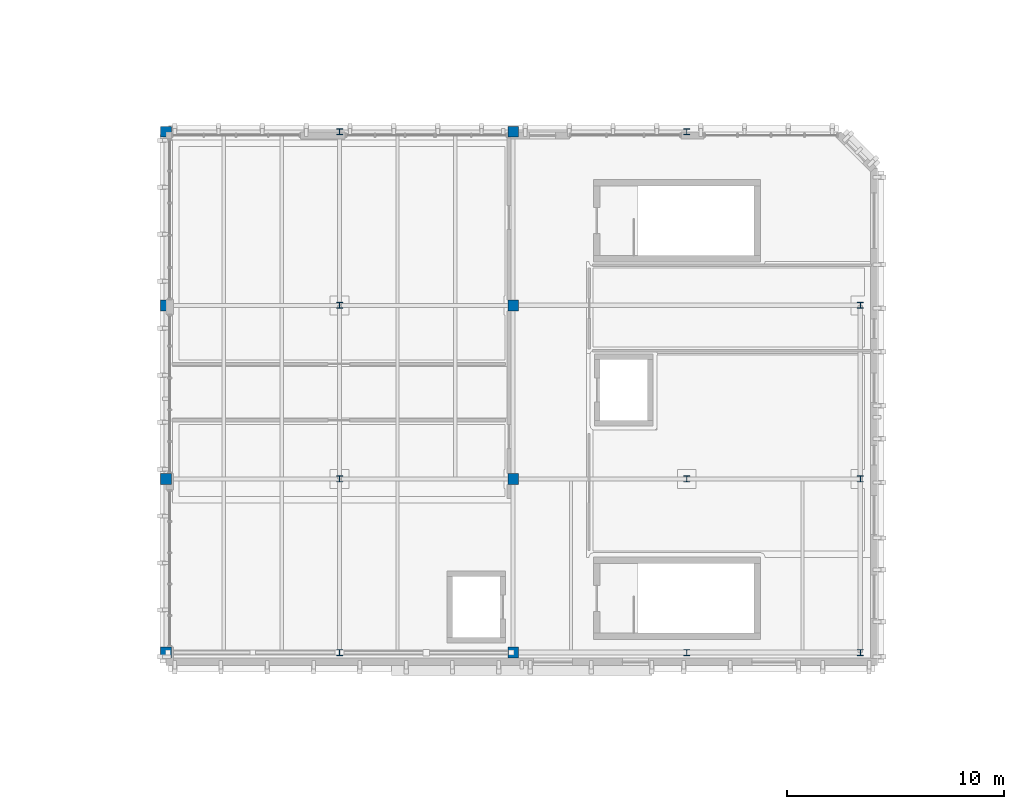
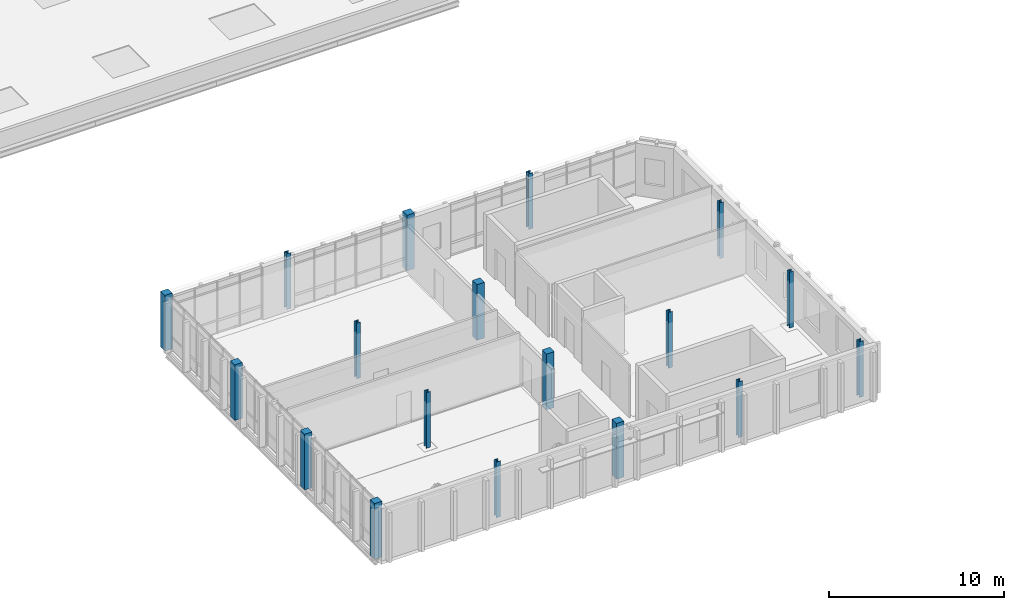
# One storey, part 1 of 28: 18 columns.
"""IFC4 building model written with IfcOpenShell, lengths in metres."""

from ifc_helpers import new_model, si_unit, direction, frame, origin, origin_2d, place, context, subcontext, project, spatial, rectangle, i_section, extrude, material, material_profile, profile_set, type_object, element, save


model = new_model("IFC4")

# Units and contexts
model_context = context("Model", 3, precision=1e-05, world=origin(), true_north=direction((0.0, 1.0)))
body_context = subcontext(model_context, "Body", "Model", "MODEL_VIEW")
ifc_project = project(units=[si_unit("LENGTHUNIT", "METRE"), si_unit("AREAUNIT", "SQUARE_METRE"), si_unit("VOLUMEUNIT", "CUBIC_METRE"), si_unit("PLANEANGLEUNIT", "RADIAN"), si_unit("MASSUNIT", "GRAM", prefix="KILO")], contexts=[model_context])

# Site, building, storey
site_placement = place(None, origin())
site = spatial("IfcSite", under=ifc_project, at=site_placement, CompositionType="ELEMENT")
building_placement = place(site_placement, origin())
building = spatial("IfcBuilding", under=site, at=building_placement, Name="Cymarion Research Institute", CompositionType="ELEMENT")
storey_placement = place(building_placement, frame((0.0, 0.0, 30.60009765625)))
storey = spatial("IfcBuildingStorey", under=building, at=storey_placement, Name="L07", CompositionType="ELEMENT", Elevation=30.60009765625)

# Columns
ifc_material_1 = material(Name="Steel S355", Category="steel")
ifc_material_profile_1 = material_profile(ifc_material_1, i_section(OverallWidth=0.280029296875, OverallDepth=0.280029296875, WebThickness=0.010498046875, FlangeThickness=0.01806640625, FilletRadius=0.02392578125, at=origin_2d()), Name="HEB 280")
ifc_profile_set_1 = profile_set([ifc_material_profile_1], Name="Steel S355")
column_type_1 = type_object("IfcColumnType", Name="STRUCTURAL COLUMN C09 HEB 280", PredefinedType="COLUMN", material=ifc_profile_set_1)
for number, where, z_axis, x_axis, name in (
    (1, (22.60009765625, 47.5, 0.0), (0.0, 0.0, 1.0), (1.0, 0.0, 0.0), "L07 V4 column C09 #1243"),
    (2, (22.60009765625, 55.5, 0.0), (0.0, 0.0, 1.0), (1.0, 0.0, 0.0), "L07 V4 column C09 #1244"),
    (3, (22.60009765625, 63.5, 0.0), (0.0, 0.0, 1.0), (1.0, 0.0, 0.0), "L07 V4 column C09 #1245"),
    (4, (22.60009765625, 71.5, 0.0), (0.0, 0.0, 1.0), (1.0, 0.0, 0.0), "L07 V4 column C09 #1246"),
    (5, (38.60009765625, 47.5, 0.0), (0.0, 0.0, 1.0), (1.0, 0.0, 0.0), "L07 V4 column C09 #1251"),
    (6, (38.60009765625, 55.5, 0.0), (0.0, 0.0, 1.0), (1.0, 0.0, 0.0), "L07 V4 column C09 #1252"),
    (7, (38.60009765625, 71.5, 0.0), (0.0, 0.0, 1.0), (1.0, 0.0, 0.0), "L07 V4 column C09 #1253"),
    (8, (46.60009765625, 47.5, 0.0), (0.0, 0.0, 1.0), (1.0, 0.0, 0.0), "L07 V4 column C09 #1254"),
    (9, (46.60009765625, 55.5, 0.0), (0.0, 0.0, 1.0), (1.0, 0.0, 0.0), "L07 V4 column C09 #1255"),
    (10, (46.60009765625, 63.5, 0.0), (0.0, 0.0, 1.0), (1.0, 0.0, 0.0), "L07 V4 column C09 #1256"),
):
    element("IfcColumn", number, at=place(storey_placement, frame(where, z_axis=z_axis, x_axis=x_axis)), inside=storey, type_object=column_type_1, Name=name, PredefinedType="COLUMN", context=body_context, shape_type="SweptSolid", body=[
        extrude(i_section(OverallWidth=0.280029296875, OverallDepth=0.280029296875, WebThickness=0.010498046875, FlangeThickness=0.01806640625, FilletRadius=0.02392578125, at=origin_2d()), origin(), (0.0, 0.0, 1.0), 3.89990234375),
    ])
ifc_material_2 = material(Name="Concrete C40/50", Category="concrete")
ifc_material_profile_2 = material_profile(ifc_material_2, rectangle(XDim=0.5, YDim=0.5, at=origin_2d()), Name="RC 500x500")
ifc_profile_set_2 = profile_set([ifc_material_profile_2], Name="Concrete C40/50")
column_type_2 = type_object("IfcColumnType", Name="STRUCTURAL COLUMN C19 RC 500x500", PredefinedType="COLUMN", material=ifc_profile_set_2)
for number, where, z_axis, x_axis, name in (
    (11, (14.60009765625, 47.5, 0.0), (0.0, 0.0, 1.0), (1.0, 0.0, 0.0), "L07 V4 column C19 #1239"),
    (12, (14.60009765625, 55.5, 0.0), (0.0, 0.0, 1.0), (1.0, 0.0, 0.0), "L07 V4 column C19 #1240"),
    (13, (14.60009765625, 63.5, 0.0), (0.0, 0.0, 1.0), (1.0, 0.0, 0.0), "L07 V4 column C19 #1241"),
    (14, (14.60009765625, 71.5, 0.0), (0.0, 0.0, 1.0), (1.0, 0.0, 0.0), "L07 V4 column C19 #1242"),
    (15, (30.60009765625, 47.5, 0.0), (0.0, 0.0, 1.0), (1.0, 0.0, 0.0), "L07 V4 column C19 #1247"),
    (16, (30.60009765625, 55.5, 0.0), (0.0, 0.0, 1.0), (1.0, 0.0, 0.0), "L07 V4 column C19 #1248"),
    (17, (30.60009765625, 63.5, 0.0), (0.0, 0.0, 1.0), (1.0, 0.0, 0.0), "L07 V4 column C19 #1249"),
    (18, (30.60009765625, 71.5, 0.0), (0.0, 0.0, 1.0), (1.0, 0.0, 0.0), "L07 V4 column C19 #1250"),
):
    element("IfcColumn", number, at=place(storey_placement, frame(where, z_axis=z_axis, x_axis=x_axis)), inside=storey, type_object=column_type_2, Name=name, PredefinedType="COLUMN", context=body_context, shape_type="SweptSolid", body=[
        extrude(rectangle(XDim=0.5, YDim=0.5, at=origin_2d()), origin(), (0.0, 0.0, 1.0), 3.89990234375),
    ])

save(model, "model.ifc")
